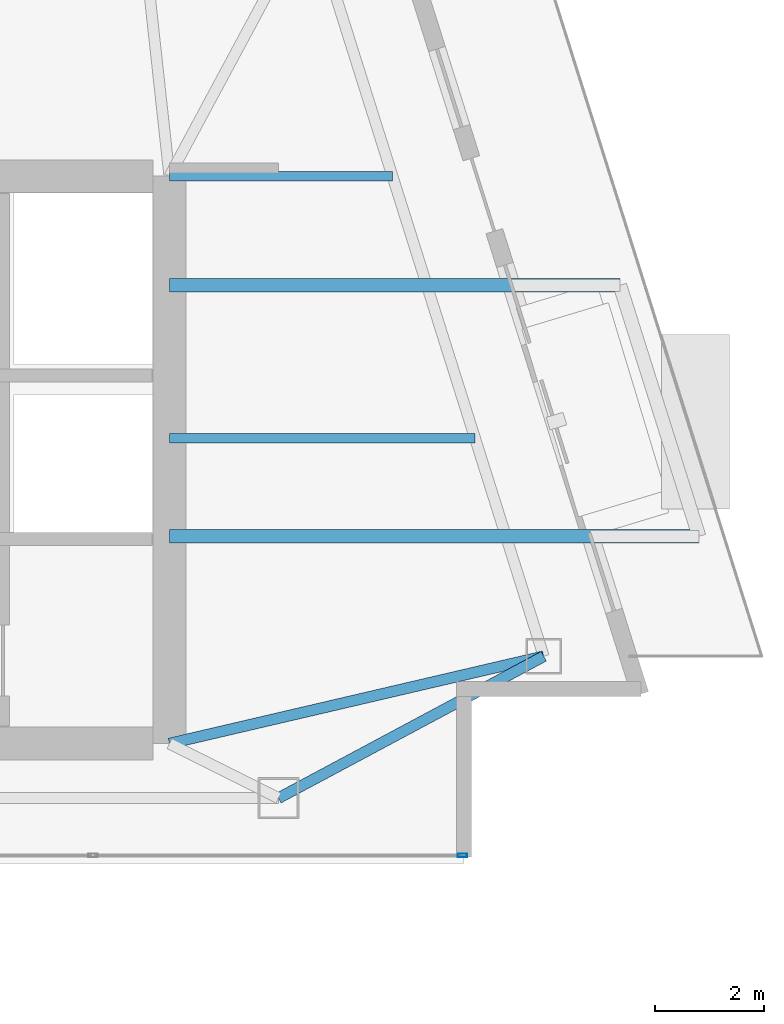
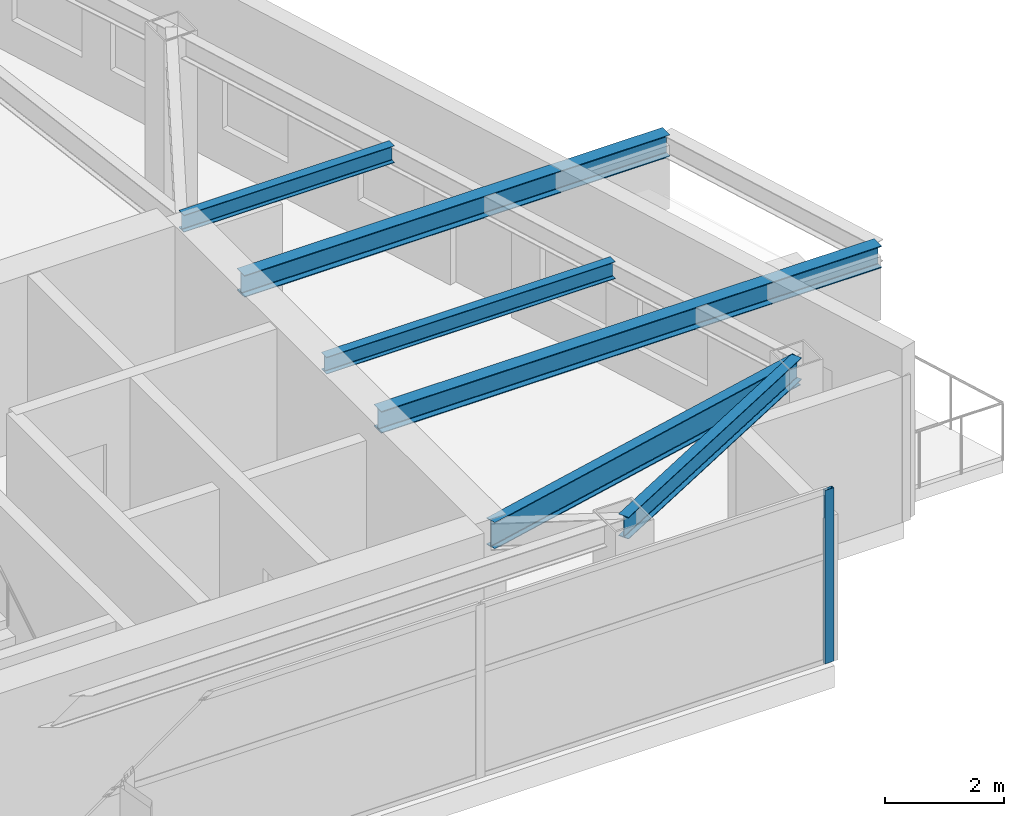
# One storey, part 14 of 27: 6 beams, 1 member, 1 element without a shape of its own.
"""IFC4 building model written with IfcOpenShell, lengths in metres."""

from ifc_helpers import new_model, si_unit, direction, frame, origin, origin_2d, place, context, subcontext, project, spatial, hollow_rectangle, i_section, extrude, material, layer, layer_set, material_profile, profile_set, type_object, element, aggregate, save


model = new_model("IFC4")

# Units and contexts
model_context = context("Model", 3, precision=1e-05, world=origin(), true_north=direction((0.0, 1.0)))
body_context = subcontext(model_context, "Body", "Model", "MODEL_VIEW")
ifc_project = project(units=[si_unit("LENGTHUNIT", "METRE"), si_unit("AREAUNIT", "SQUARE_METRE"), si_unit("VOLUMEUNIT", "CUBIC_METRE"), si_unit("PLANEANGLEUNIT", "RADIAN"), si_unit("MASSUNIT", "GRAM", prefix="KILO")], contexts=[model_context])

# Site, building, storey
site_placement = place(None, origin())
site = spatial("IfcSite", under=ifc_project, at=site_placement, CompositionType="ELEMENT")
building_placement = place(site_placement, origin())
building = spatial("IfcBuilding", under=site, at=building_placement, Name="Calvorn Quay Hotel", CompositionType="ELEMENT")
storey_placement = place(building_placement, frame((0.0, 0.0, 287.300048828125)))
storey = spatial("IfcBuildingStorey", under=building, at=storey_placement, Name="L71", CompositionType="ELEMENT", Elevation=287.300048828125)

# Beams
ifc_material_1 = material(Name="Steel Q355B", Category="steel")
ifc_material_profile_1 = material_profile(ifc_material_1, i_section(OverallWidth=0.25, OverallDepth=0.449951171875, WebThickness=0.011962890625, FlangeThickness=0.01611328125, FilletRadius=0.01611328125, at=origin_2d()), Name="HN450x250x12x16")
ifc_profile_set_1 = profile_set([ifc_material_profile_1], Name="Steel Q355B")
beam_type_1 = type_object("IfcBeamType", Name="BM-CANT-BALC", PredefinedType="BEAM", material=ifc_profile_set_1)
beam_1_placement = place(storey_placement, frame((32.39990234375, 8.39990234375, 3.31494140625), z_axis=(1.0, 0.0, 0.0), x_axis=(0.0, 1.0, 0.0)))
element("IfcBeam", 1, at=beam_1_placement, inside=storey, type_object=beam_type_1, Name="Cantilever Balcony Beam BCB-L72-1A", PredefinedType="BEAM", context=body_context, shape_type="SweptSolid", body=[
    extrude(i_section(OverallWidth=0.25, OverallDepth=0.449951171875, WebThickness=0.011962890625, FlangeThickness=0.01611328125, FilletRadius=0.01611328125, at=origin_2d()), origin(), (0.0, 0.0, 1.0), 9.7080078125),
])
beam_2_placement = place(storey_placement, frame((32.39990234375, 13.0, 3.31494140625), z_axis=(1.0, 0.0, 0.0), x_axis=(0.0, 1.0, 0.0)))
element("IfcBeam", 2, at=beam_2_placement, inside=storey, type_object=beam_type_1, Name="Cantilever Balcony Beam BCB-L72-1B", PredefinedType="BEAM", context=body_context, shape_type="SweptSolid", body=[
    extrude(i_section(OverallWidth=0.25, OverallDepth=0.449951171875, WebThickness=0.011962890625, FlangeThickness=0.01611328125, FilletRadius=0.01611328125, at=origin_2d()), origin(), (0.0, 0.0, 1.0), 8.258056640625),
])
ifc_material_2 = material(Name="Steel Q355B", Category="steel")
ifc_material_profile_2 = material_profile(ifc_material_2, i_section(OverallWidth=0.199951171875, OverallDepth=0.550048828125, WebThickness=0.010009765625, FlangeThickness=0.01611328125, FilletRadius=0.01806640625, at=origin_2d()), Name="HN550x200x10x16")
ifc_profile_set_2 = profile_set([ifc_material_profile_2], Name="Steel Q355B")
beam_type_2 = type_object("IfcBeamType", Name="BM-GIRD-UPP", PredefinedType="BEAM", material=ifc_profile_set_2)
beam_3_placement = place(storey_placement, frame((32.39990234375, 4.60009765625, 3.264892578125), z_axis=(0.973874684416, 0.227086104935, 0.0), x_axis=(-0.227086104935, 0.973874684416, 0.0)))
element("IfcBeam", 3, at=beam_3_placement, inside=storey, type_object=beam_type_2, Name="Beam BG-L71-E1", PredefinedType="BEAM", context=body_context, shape_type="SweptSolid", body=[
    extrude(i_section(OverallWidth=0.199951171875, OverallDepth=0.550048828125, WebThickness=0.010009765625, FlangeThickness=0.01611328125, FilletRadius=0.01806640625, at=origin_2d()), origin(), (0.0, 0.0, 1.0), 7.045166015625),
])
ifc_material_3 = material(Name="Steel Q355B", Category="steel")
ifc_material_profile_3 = material_profile(ifc_material_3, i_section(OverallWidth=0.175048828125, OverallDepth=0.35009765625, WebThickness=0.007080078125, FlangeThickness=0.010986328125, FilletRadius=0.013916015625, at=origin_2d()), Name="HN350x175x7x11")
ifc_profile_set_3 = profile_set([ifc_material_profile_3], Name="Steel Q355B")
beam_type_3 = type_object("IfcBeamType", Name="BM-JOIST-SEC", PredefinedType="JOIST", material=ifc_profile_set_3)
beam_4_placement = place(storey_placement, frame((32.39990234375, 10.199951171875, 3.364990234375), z_axis=(1.0, 0.0, 0.0), x_axis=(0.0, 1.0, 0.0)))
element("IfcBeam", 4, at=beam_4_placement, inside=storey, type_object=beam_type_3, Name="Beam BJ-L71-E1", PredefinedType="JOIST", context=body_context, shape_type="SweptSolid", body=[
    extrude(i_section(OverallWidth=0.175048828125, OverallDepth=0.35009765625, WebThickness=0.007080078125, FlangeThickness=0.010986328125, FilletRadius=0.013916015625, at=origin_2d()), origin(), (0.0, 0.0, 1.0), 5.60107421875),
])
beam_5_placement = place(storey_placement, frame((32.39990234375, 15.0, 3.364990234375), z_axis=(1.0, 0.0, 0.0), x_axis=(0.0, 1.0, 0.0)))
element("IfcBeam", 5, at=beam_5_placement, inside=storey, type_object=beam_type_3, Name="Beam BJ-L71-E2", PredefinedType="JOIST", context=body_context, shape_type="SweptSolid", body=[
    extrude(i_section(OverallWidth=0.175048828125, OverallDepth=0.35009765625, WebThickness=0.007080078125, FlangeThickness=0.010986328125, FilletRadius=0.013916015625, at=origin_2d()), origin(), (0.0, 0.0, 1.0), 4.088134765625),
])
ifc_material_4 = material(Name="Steel Q355B", Category="steel")
ifc_material_profile_4 = material_profile(ifc_material_4, i_section(OverallWidth=0.199951171875, OverallDepth=0.449951171875, WebThickness=0.009033203125, FlangeThickness=0.013916015625, FilletRadius=0.01611328125, at=origin_2d()), Name="HN450x200x9x14")
ifc_profile_set_4 = profile_set([ifc_material_profile_4], Name="Steel Q355B")
beam_type_4 = type_object("IfcBeamType", Name="BM-SPANDREL-Z3", PredefinedType="SPANDREL", material=ifc_profile_set_4)
beam_6_placement = place(storey_placement, frame((34.39990234375, 3.60009765625, 3.31494140625), z_axis=(0.881804345101, 0.471615412133, 0.0), x_axis=(-0.471615412133, 0.881804345101, 0.0)))
element("IfcBeam", 6, at=beam_6_placement, inside=storey, type_object=beam_type_4, Name="Beam BSP-L71-S4", PredefinedType="SPANDREL", context=body_context, shape_type="SweptSolid", body=[
    extrude(i_section(OverallWidth=0.199951171875, OverallDepth=0.449951171875, WebThickness=0.009033203125, FlangeThickness=0.013916015625, FilletRadius=0.01611328125, at=origin_2d()), origin(), (0.0, 0.0, 1.0), 5.5126953125),
])

# Curtain wall, member
ifc_material_5 = material(Name="Champagne Bronze Anodised Aluminium and Low-E Glass", Category="aluminium")
ifc_layer = layer(ifc_material_5, 0.219970703125)
ifc_layer_set = layer_set([ifc_layer], Name="CW-SYS-Z4")
curtain_wall_type = type_object("IfcCurtainWallType", Name="CW-SYS-Z4", PredefinedType="NOTDEFINED", material=ifc_layer_set)
curtain_wall_placement = place(storey_placement, origin())
curtain_wall = element("IfcCurtainWall", 7, at=curtain_wall_placement, inside=storey, type_object=curtain_wall_type, Name="Tower South Waterfront Curtain Wall (L71)", PredefinedType="NOTDEFINED")
ifc_material_6 = material(Name="Champagne Bronze Anodised Aluminium 6063-T6", Category="aluminium")
ifc_material_profile_5 = material_profile(ifc_material_6, hollow_rectangle(XDim=0.06494140625, YDim=0.169921875, WallThickness=0.00341796875, at=origin_2d()), Name="ALU-M170x65x3.5")
ifc_profile_set_5 = profile_set([ifc_material_profile_5], Name="Champagne Bronze Anodised Aluminium 6063-T6")
member_type = type_object("IfcMemberType", Name="CW-SYS-Z4-MUL", PredefinedType="MULLION", material=ifc_profile_set_5)
member_placement = place(storey_placement, frame((37.77001953125, 2.550048828125, 0.0), z_axis=(0.0, 0.0, 1.0), x_axis=(0.0, 1.0, 0.0)))
member = element("IfcMember", 8, at=member_placement, type_object=member_type, Name="CW-L71-S mullion 5", PredefinedType="MULLION", context=body_context, shape_type="SweptSolid", body=[
    extrude(hollow_rectangle(XDim=0.06494140625, YDim=0.169921875, WallThickness=0.00341796875, at=origin_2d()), origin(), (0.0, 0.0, 1.0), 3.56005859375),
])
aggregate(curtain_wall, [member])

save(model, "model.ifc")
